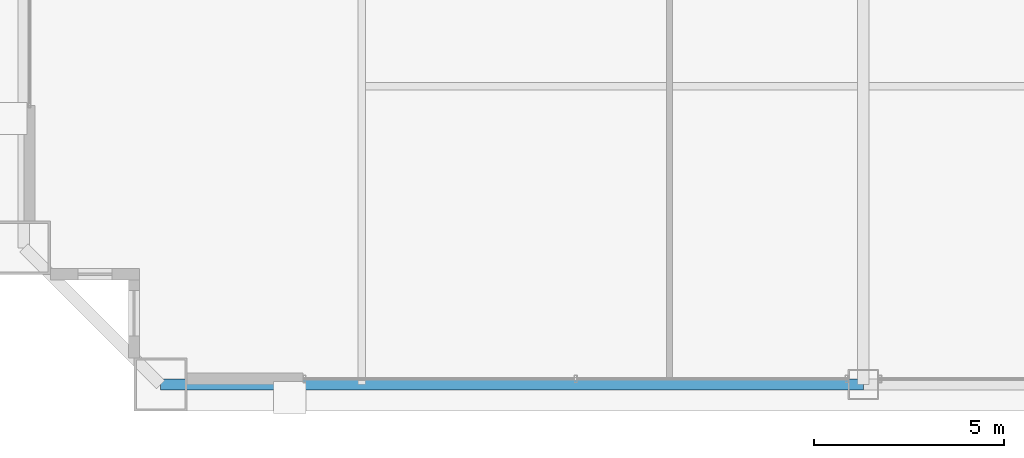
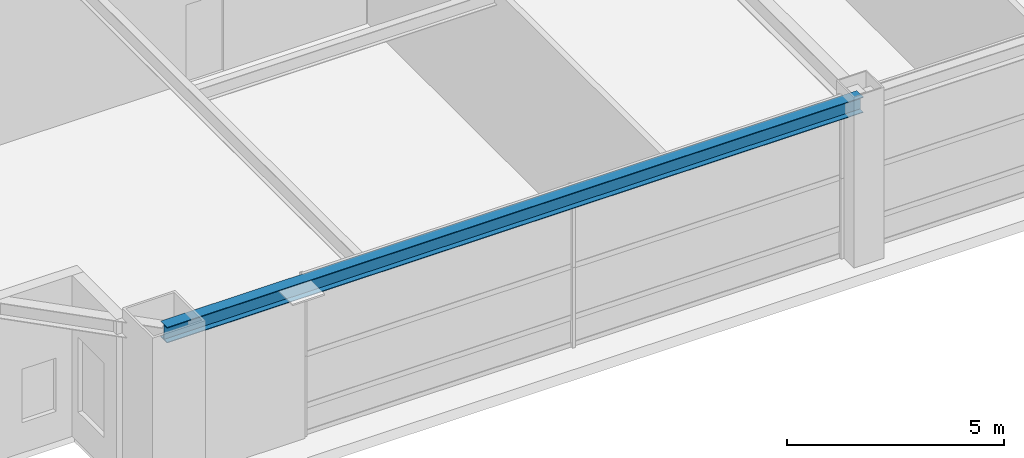
# One storey, part 5 of 34: 1 beam.
"""IFC4 building model written with IfcOpenShell, lengths in metres."""

from ifc_helpers import new_model, si_unit, direction, frame, origin, origin_2d, place, context, subcontext, project, spatial, i_section, extrude, source, transform, mapped, material, material_profile, profile_set, type_object, element, save


model = new_model("IFC4")

# Units and contexts
model_context = context("Model", 3, precision=1e-05, world=origin(), true_north=direction((0.0, 1.0)))
body_context = subcontext(model_context, "Body", "Model", "MODEL_VIEW")
ifc_project = project(units=[si_unit("LENGTHUNIT", "METRE"), si_unit("AREAUNIT", "SQUARE_METRE"), si_unit("VOLUMEUNIT", "CUBIC_METRE"), si_unit("PLANEANGLEUNIT", "RADIAN"), si_unit("MASSUNIT", "GRAM", prefix="KILO"), si_unit("THERMODYNAMICTEMPERATUREUNIT", "KELVIN"), si_unit("POWERUNIT", "WATT")], contexts=[model_context])

# Site, building, storey
site_placement = place(None, origin())
site = spatial("IfcSite", under=ifc_project, at=site_placement, CompositionType="ELEMENT")
building_placement = place(site_placement, origin())
building = spatial("IfcBuilding", under=site, at=building_placement, Name="Yuzanri Waterfront Tower", CompositionType="ELEMENT")
storey_placement = place(building_placement, frame((0.0, 0.0, 171.60009765625)))
storey = spatial("IfcBuildingStorey", under=building, at=storey_placement, Name="L45", CompositionType="ELEMENT", Elevation=171.60009765625)

# Beam
ifc_material = material(Name="Steel Q355B", Category="steel")
ifc_material_profile = material_profile(ifc_material, i_section(OverallWidth=0.300048828125, OverallDepth=0.43994140625, WebThickness=0.010986328125, FlangeThickness=0.01806640625, at=origin_2d()), Name="HM 440x300x11x18")
ifc_profile_set = profile_set([ifc_material_profile], Name="Steel Q355B")
beam_type = type_object("IfcBeamType", Name="Perimeter Spandrel Q355B HM 440x300", PredefinedType="SPANDREL", material=ifc_profile_set)
shared_shape = source(origin(), body_context, "Body", "SweptSolid", [
    extrude(i_section(OverallWidth=0.300048828125, OverallDepth=0.43994140625, WebThickness=0.010986328125, FlangeThickness=0.01806640625, at=origin_2d()), origin(), (0.0, 0.0, 1.0), 18.5),
])
beam_placement = place(storey_placement, frame((18.5, 3.699951171875, 4.2998046875), z_axis=(1.0, 0.0, 0.0), x_axis=(0.0, 1.0, 0.0)))
element("IfcBeam", 1, at=beam_placement, inside=storey, type_object=beam_type, Name="L45 Perimeter Spandrel S1-S2", PredefinedType="SPANDREL", context=body_context, shape_type="MappedRepresentation", body=[
    mapped(shared_shape, transform((0.0, 0.0, 0.0), scale=1.0)),
])

save(model, "model.ifc")
